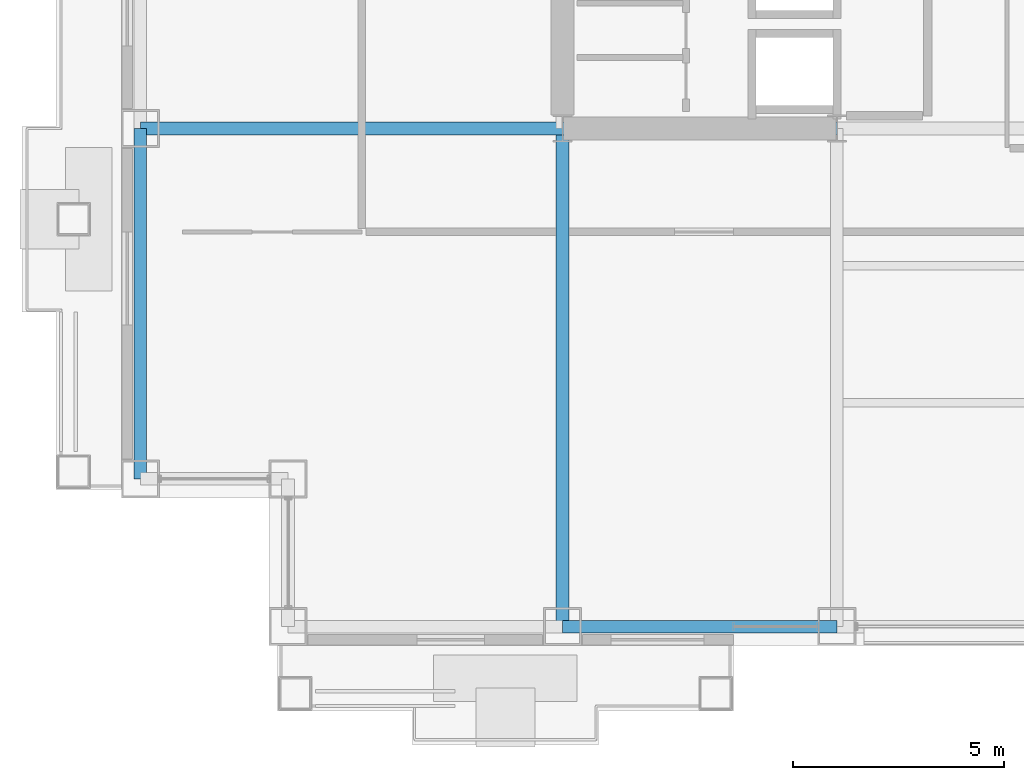
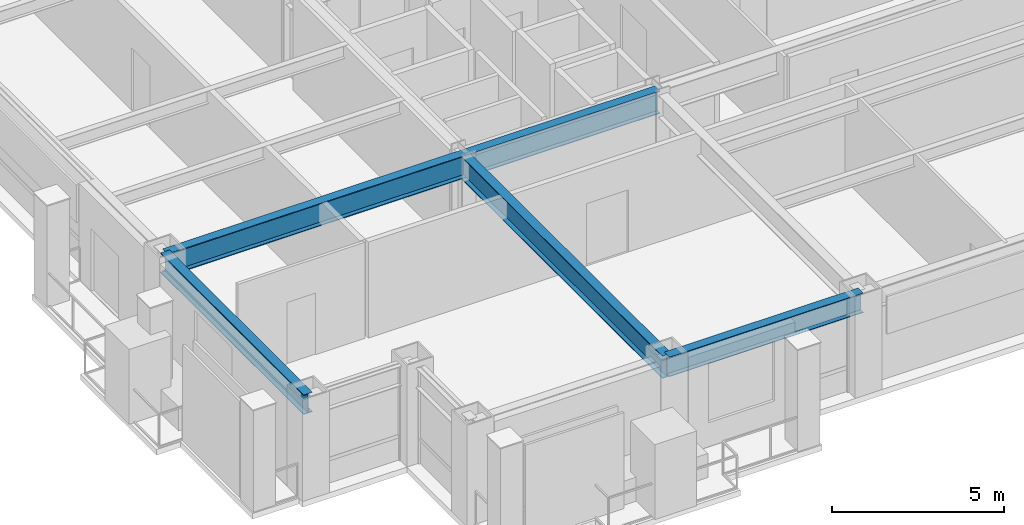
# One storey, part 3 of 28: 5 beams.
"""IFC4 building model written with IfcOpenShell, lengths in metres."""

from ifc_helpers import new_model, si_unit, direction, frame, origin, origin_2d, place, context, subcontext, project, spatial, i_section, extrude, material, material_profile, profile_set, type_object, element, save


model = new_model("IFC4")

# Units and contexts
model_context = context("Model", 3, precision=1e-05, world=origin(), true_north=direction((0.0, 1.0)))
body_context = subcontext(model_context, "Body", "Model", "MODEL_VIEW")
ifc_project = project(units=[si_unit("LENGTHUNIT", "METRE"), si_unit("AREAUNIT", "SQUARE_METRE"), si_unit("VOLUMEUNIT", "CUBIC_METRE"), si_unit("PLANEANGLEUNIT", "RADIAN"), si_unit("MASSUNIT", "GRAM", prefix="KILO")], contexts=[model_context])

# Site, building, storey
site_placement = place(None, origin())
site = spatial("IfcSite", under=ifc_project, at=site_placement, CompositionType="ELEMENT")
building_placement = place(site_placement, origin())
building = spatial("IfcBuilding", under=site, at=building_placement, Name="Brelmoor Portico Tower", CompositionType="ELEMENT")
storey_placement = place(building_placement, frame((0.0, 0.0, 70.800048828125)))
storey = spatial("IfcBuildingStorey", under=building, at=storey_placement, Name="L18", CompositionType="ELEMENT", Elevation=70.800048828125)

# Beams
ifc_material = material(Name="Steel Q355B", Category="steel")
ifc_material_profile_1 = material_profile(ifc_material, i_section(OverallWidth=0.300048828125, OverallDepth=0.800048828125, WebThickness=0.013916015625, FlangeThickness=0.02587890625, at=origin_2d()), Name="HN 800x300x14x26")
ifc_profile_set_1 = profile_set([ifc_material_profile_1], Name="Steel Q355B")
beam_type_1 = type_object("IfcBeamType", Name="BM-PG-800", PredefinedType="BEAM", material=ifc_profile_set_1)
beam_1_placement = place(storey_placement, frame((-14.550048828125, -21.550048828125, 3.0), z_axis=(0.0, 1.0, 0.0), x_axis=(-1.0, 0.0, 0.0)))
element("IfcBeam", 1, at=beam_1_placement, inside=storey, type_object=beam_type_1, Name="L18 Primary Floor Girder PG-03", PredefinedType="BEAM", context=body_context, shape_type="SweptSolid", body=[
    extrude(i_section(OverallWidth=0.300048828125, OverallDepth=0.800048828125, WebThickness=0.013916015625, FlangeThickness=0.02587890625, at=origin_2d()), origin(), (0.0, 0.0, 1.0), 11.800048828125),
])
beam_2_placement = place(storey_placement, frame((-24.550048828125, -9.75, 3.0), z_axis=(1.0, 0.0, 0.0), x_axis=(0.0, 1.0, 0.0)))
element("IfcBeam", 2, at=beam_2_placement, inside=storey, type_object=beam_type_1, Name="L18 Primary Floor Girder PG-19", PredefinedType="BEAM", context=body_context, shape_type="SweptSolid", body=[
    extrude(i_section(OverallWidth=0.300048828125, OverallDepth=0.800048828125, WebThickness=0.013916015625, FlangeThickness=0.02587890625, at=origin_2d()), origin(), (0.0, 0.0, 1.0), 10.0),
])
beam_3_placement = place(storey_placement, frame((-14.550048828125, -9.75, 3.0), z_axis=(1.0, 0.0, 0.0), x_axis=(0.0, 1.0, 0.0)))
element("IfcBeam", 3, at=beam_3_placement, inside=storey, type_object=beam_type_1, Name="L18 Primary Floor Girder PG-20", PredefinedType="BEAM", context=body_context, shape_type="SweptSolid", body=[
    extrude(i_section(OverallWidth=0.300048828125, OverallDepth=0.800048828125, WebThickness=0.013916015625, FlangeThickness=0.02587890625, at=origin_2d()), origin(), (0.0, 0.0, 1.0), 6.5),
])
ifc_material_profile_2 = material_profile(ifc_material, i_section(OverallWidth=0.300048828125, OverallDepth=0.699951171875, WebThickness=0.012939453125, FlangeThickness=0.02392578125, at=origin_2d()), Name="HN 700x300x13x24")
ifc_profile_set_2 = profile_set([ifc_material_profile_2], Name="Steel Q355B")
beam_type_2 = type_object("IfcBeamType", Name="BM-SP-700", PredefinedType="SPANDREL", material=ifc_profile_set_2)
beam_4_placement = place(storey_placement, frame((-14.550048828125, -21.550048828125, 3.050048828125), z_axis=(1.0, 0.0, 0.0), x_axis=(0.0, 1.0, 0.0)))
element("IfcBeam", 4, at=beam_4_placement, inside=storey, type_object=beam_type_2, Name="L18 Perimeter Spandrel Beam SP-02", PredefinedType="SPANDREL", context=body_context, shape_type="SweptSolid", body=[
    extrude(i_section(OverallWidth=0.300048828125, OverallDepth=0.699951171875, WebThickness=0.012939453125, FlangeThickness=0.02392578125, at=origin_2d()), origin(), (0.0, 0.0, 1.0), 6.5),
])
beam_5_placement = place(storey_placement, frame((-24.550048828125, -18.050048828125, 3.050048828125), z_axis=(0.0, 1.0, 0.0), x_axis=(-1.0, 0.0, 0.0)))
element("IfcBeam", 5, at=beam_5_placement, inside=storey, type_object=beam_type_2, Name="L18 Perimeter Spandrel Beam SP-15", PredefinedType="SPANDREL", context=body_context, shape_type="SweptSolid", body=[
    extrude(i_section(OverallWidth=0.300048828125, OverallDepth=0.699951171875, WebThickness=0.012939453125, FlangeThickness=0.02392578125, at=origin_2d()), origin(), (0.0, 0.0, 1.0), 8.300048828125),
])

save(model, "model.ifc")
